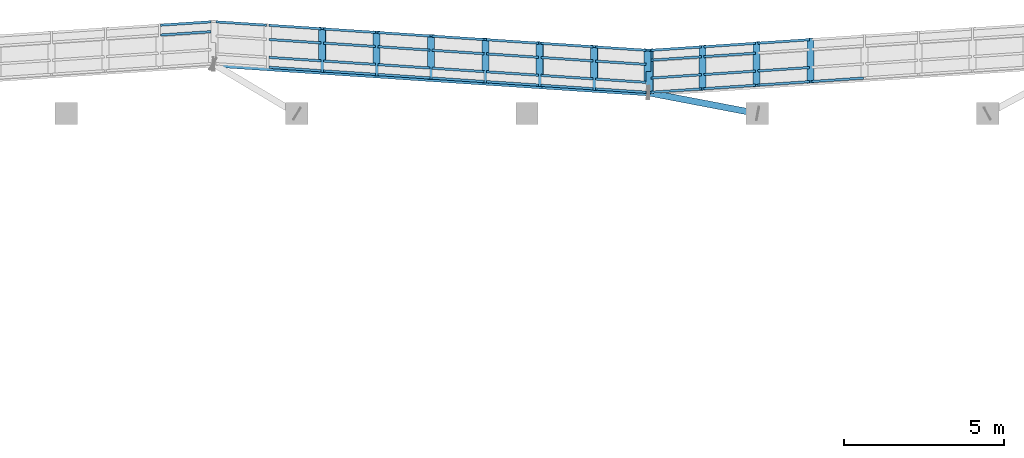
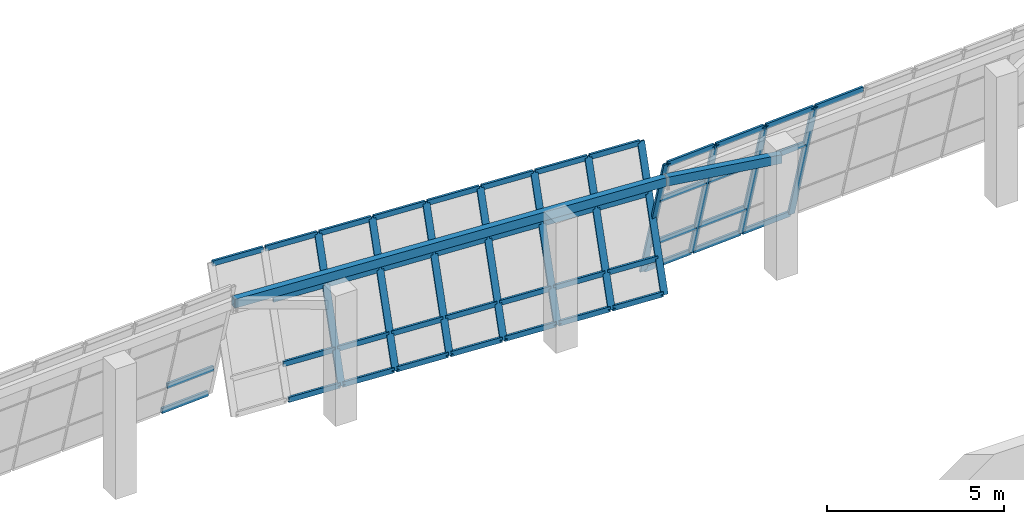
# One storey, part 31 of 67: 54 members, 2 beams, 3 elements without a shape of their own.
"""IFC4 building model written with IfcOpenShell, lengths in metres."""

from ifc_helpers import new_model, si_unit, direction, frame, origin, origin_2d, place, context, subcontext, project, spatial, hollow_rectangle, extrude, material, material_profile, profile_set, type_object, element, aggregate, save


model = new_model("IFC4")

# Units and contexts
model_context = context("Model", 3, precision=1e-05, world=origin(), true_north=direction((0.0, 1.0)))
body_context = subcontext(model_context, "Body", "Model", "MODEL_VIEW")
ifc_project = project(units=[si_unit("LENGTHUNIT", "METRE"), si_unit("AREAUNIT", "SQUARE_METRE"), si_unit("VOLUMEUNIT", "CUBIC_METRE"), si_unit("PLANEANGLEUNIT", "RADIAN"), si_unit("MASSUNIT", "GRAM", prefix="KILO")], contexts=[model_context])

# Site, building, storey
site_placement = place(None, origin())
site = spatial("IfcSite", under=ifc_project, at=site_placement, CompositionType="ELEMENT")
building_placement = place(site_placement, origin())
building = spatial("IfcBuilding", under=site, at=building_placement, Name="Pellamere Symphony Hall", CompositionType="ELEMENT")
storey_placement = place(building_placement, frame((0.0, 0.0, 19.5)))
storey = spatial("IfcBuildingStorey", under=building, at=storey_placement, Name="L04", CompositionType="ELEMENT", Elevation=19.5)

# Curtain wall, members
ifc_material_1 = material(Name="Thermally Broken Anodised Aluminium 6063-T6 Curtain Wall", Category="aluminium")
curtain_wall_type = type_object("IfcCurtainWallType", Name="Curtain Wall CW-01 (Tilted Faceted Crystal Low-Iron Curtain Wall)", PredefinedType="NOTDEFINED", material=ifc_material_1)
curtain_wall_1_placement = place(storey_placement, origin())
curtain_wall_1 = element("IfcCurtainWall", 1, at=curtain_wall_1_placement, inside=storey, type_object=curtain_wall_type, Name="Crystal Faceted Curtain Wall CW-CR11 (L04)", PredefinedType="NOTDEFINED")
ifc_material_2 = material(Name="Anodised Architectural Aluminium 6063-T6", Category="aluminium")
ifc_material_profile_1 = material_profile(ifc_material_2, hollow_rectangle(XDim=0.074951171875, YDim=0.219970703125, WallThickness=0.0048828125, at=origin_2d()), Name="ALU-M75X220X5")
ifc_profile_set_1 = profile_set([ifc_material_profile_1], Name="Anodised Architectural Aluminium 6063-T6")
member_type_1 = type_object("IfcMemberType", Name="Curtain Wall Mullion ML-01 ALU-M75X220X5", PredefinedType="MULLION", material=ifc_profile_set_1)
member_1_placement = place(storey_placement, frame((96.46240234375, 95.92041015625, 0.0), z_axis=(0.0, -0.284024567884, 0.95881700279), x_axis=(0.066519010519, -0.956693374484, -0.283395498301)))
member_1 = element("IfcMember", 2, at=member_1_placement, type_object=member_type_1, Name="CW1-027 crystal mullion 6", PredefinedType="MULLION", context=body_context, shape_type="SweptSolid", body=[
    extrude(hollow_rectangle(XDim=0.074951171875, YDim=0.219970703125, WallThickness=0.0048828125, at=origin_2d()), origin(), (0.0, 0.0, 1.0), 4.693359375),
])
member_2_placement = place(storey_placement, frame((94.77490234375, 95.80810546875, 0.0), z_axis=(0.0, -0.284024567884, 0.95881700279), x_axis=(0.066519010519, -0.956693374484, -0.283395498301)))
member_2 = element("IfcMember", 3, at=member_2_placement, type_object=member_type_1, Name="CW1-027 crystal mullion 7", PredefinedType="MULLION", context=body_context, shape_type="SweptSolid", body=[
    extrude(hollow_rectangle(XDim=0.074951171875, YDim=0.219970703125, WallThickness=0.0048828125, at=origin_2d()), origin(), (0.0, 0.0, 1.0), 4.693359375),
])
member_3_placement = place(storey_placement, frame((93.08740234375, 95.695556640625, 0.0), z_axis=(0.0, -0.284024567884, 0.95881700279), x_axis=(0.066519010519, -0.956693374484, -0.283395498301)))
member_3 = element("IfcMember", 4, at=member_3_placement, type_object=member_type_1, Name="CW1-027 crystal mullion 8", PredefinedType="MULLION", context=body_context, shape_type="SweptSolid", body=[
    extrude(hollow_rectangle(XDim=0.074951171875, YDim=0.219970703125, WallThickness=0.0048828125, at=origin_2d()), origin(), (0.0, 0.0, 1.0), 4.693359375),
])
member_4_placement = place(storey_placement, frame((91.4375, 95.58544921875, 0.0), z_axis=(0.0, -0.284024567884, 0.95881700279), x_axis=(0.066519010519, -0.956693374484, -0.283395498301)))
member_4 = element("IfcMember", 5, at=member_4_placement, type_object=member_type_1, Name="CW1-027 crystal mullion 9", PredefinedType="MULLION", context=body_context, shape_type="SweptSolid", body=[
    extrude(hollow_rectangle(XDim=0.074951171875, YDim=0.219970703125, WallThickness=0.0048828125, at=origin_2d()), origin(), (0.0, 0.0, 1.0), 4.693359375),
])

curtain_wall_2_placement = place(storey_placement, origin())
curtain_wall_2 = element("IfcCurtainWall", 6, at=curtain_wall_2_placement, inside=storey, type_object=curtain_wall_type, Name="Crystal Faceted Curtain Wall CW-CR12 (L04)", PredefinedType="NOTDEFINED")
member_5_placement = place(storey_placement, frame((91.362548828125, 94.25244140625, 0.0), z_axis=(0.0, 0.284024567884, 0.95881700279), x_axis=(0.066032040643, 0.956724387709, -0.283404685161)))
member_5 = element("IfcMember", 7, at=member_5_placement, type_object=member_type_1, Name="CW1-030 crystal mullion 1", PredefinedType="MULLION", context=body_context, shape_type="SweptSolid", body=[
    extrude(hollow_rectangle(XDim=0.074951171875, YDim=0.219970703125, WallThickness=0.0048828125, at=origin_2d()), origin(), (0.0, 0.0, 1.0), 4.693359375),
])
member_6_placement = place(storey_placement, frame((89.699951171875, 94.362548828125, 0.0), z_axis=(0.0, 0.284024567884, 0.95881700279), x_axis=(0.066032040643, 0.956724387709, -0.283404685161)))
member_6 = element("IfcMember", 8, at=member_6_placement, type_object=member_type_1, Name="CW1-030 crystal mullion 2", PredefinedType="MULLION", context=body_context, shape_type="SweptSolid", body=[
    extrude(hollow_rectangle(XDim=0.074951171875, YDim=0.219970703125, WallThickness=0.0048828125, at=origin_2d()), origin(), (0.0, 0.0, 1.0), 4.693359375),
])
member_7_placement = place(storey_placement, frame((88.0, 94.47509765625, 0.0), z_axis=(0.0, 0.284024567884, 0.95881700279), x_axis=(0.066032040643, 0.956724387709, -0.283404685161)))
member_7 = element("IfcMember", 9, at=member_7_placement, type_object=member_type_1, Name="CW1-030 crystal mullion 3", PredefinedType="MULLION", context=body_context, shape_type="SweptSolid", body=[
    extrude(hollow_rectangle(XDim=0.074951171875, YDim=0.219970703125, WallThickness=0.0048828125, at=origin_2d()), origin(), (0.0, 0.0, 1.0), 4.693359375),
])
member_8_placement = place(storey_placement, frame((86.300048828125, 94.58740234375, 0.0), z_axis=(0.0, 0.284024567884, 0.95881700279), x_axis=(0.066032040643, 0.956724387709, -0.283404685161)))
member_8 = element("IfcMember", 10, at=member_8_placement, type_object=member_type_1, Name="CW1-030 crystal mullion 4", PredefinedType="MULLION", context=body_context, shape_type="SweptSolid", body=[
    extrude(hollow_rectangle(XDim=0.074951171875, YDim=0.219970703125, WallThickness=0.0048828125, at=origin_2d()), origin(), (0.0, 0.0, 1.0), 4.693359375),
])
member_9_placement = place(storey_placement, frame((84.60009765625, 94.699951171875, 0.0), z_axis=(0.0, 0.284024567884, 0.95881700279), x_axis=(0.066032040643, 0.956724387709, -0.283404685161)))
member_9 = element("IfcMember", 11, at=member_9_placement, type_object=member_type_1, Name="CW1-030 crystal mullion 5", PredefinedType="MULLION", context=body_context, shape_type="SweptSolid", body=[
    extrude(hollow_rectangle(XDim=0.074951171875, YDim=0.219970703125, WallThickness=0.0048828125, at=origin_2d()), origin(), (0.0, 0.0, 1.0), 4.693359375),
])
member_10_placement = place(storey_placement, frame((82.89990234375, 94.8125, 0.0), z_axis=(0.0, 0.284024567884, 0.95881700279), x_axis=(0.066032040643, 0.956724387709, -0.283404685161)))
member_10 = element("IfcMember", 12, at=member_10_placement, type_object=member_type_1, Name="CW1-030 crystal mullion 6", PredefinedType="MULLION", context=body_context, shape_type="SweptSolid", body=[
    extrude(hollow_rectangle(XDim=0.074951171875, YDim=0.219970703125, WallThickness=0.0048828125, at=origin_2d()), origin(), (0.0, 0.0, 1.0), 4.693359375),
])
member_11_placement = place(storey_placement, frame((81.199951171875, 94.925048828125, 0.0), z_axis=(0.0, 0.284024567884, 0.95881700279), x_axis=(0.066032040643, 0.956724387709, -0.283404685161)))
member_11 = element("IfcMember", 13, at=member_11_placement, type_object=member_type_1, Name="CW1-030 crystal mullion 7", PredefinedType="MULLION", context=body_context, shape_type="SweptSolid", body=[
    extrude(hollow_rectangle(XDim=0.074951171875, YDim=0.219970703125, WallThickness=0.0048828125, at=origin_2d()), origin(), (0.0, 0.0, 1.0), 4.693359375),
])

# Member
ifc_material_profile_2 = material_profile(ifc_material_2, hollow_rectangle(XDim=0.074951171875, YDim=0.179931640625, WallThickness=0.0048828125, at=origin_2d()), Name="ALU-T75X180X5")
ifc_profile_set_2 = profile_set([ifc_material_profile_2], Name="Anodised Architectural Aluminium 6063-T6")
member_type_2 = type_object("IfcMemberType", Name="Curtain Wall Transom TR-01 ALU-T75X180X5", PredefinedType="USERDEFINED", material=ifc_profile_set_2)
member_12_placement = place(storey_placement, frame((98.112548828125, 94.708251953125, 4.464111328125), z_axis=(-0.997778468566, -0.06661927398, 0.0), x_axis=(0.06661927398, -0.997778468566, 0.0)))
member_12 = element("IfcMember", 14, at=member_12_placement, type_object=member_type_2, Name="CW1-027 crystal transom 5.4", ObjectType="TRANSOM", PredefinedType="USERDEFINED", context=body_context, shape_type="SweptSolid", body=[
    extrude(hollow_rectangle(XDim=0.074951171875, YDim=0.179931640625, WallThickness=0.0048828125, at=origin_2d()), origin(), (0.0, 0.0, 1.0), 1.6162109375),
])

member_13_placement = place(storey_placement, frame((96.425048828125, 95.907470703125, 0.035888671875), z_axis=(-0.997778468566, -0.06661927398, 0.0), x_axis=(0.06661927398, -0.997778468566, 0.0)))
member_13 = element("IfcMember", 15, at=member_13_placement, type_object=member_type_2, Name="CW1-027 crystal transom 6.1", ObjectType="TRANSOM", PredefinedType="USERDEFINED", context=body_context, shape_type="SweptSolid", body=[
    extrude(hollow_rectangle(XDim=0.074951171875, YDim=0.179931640625, WallThickness=0.0048828125, at=origin_2d()), origin(), (0.0, 0.0, 1.0), 1.6162109375),
])

member_14_placement = place(storey_placement, frame((96.425048828125, 95.038330078125, 2.969970703125), z_axis=(-0.997778468566, -0.06661927398, 0.0), x_axis=(0.06661927398, -0.997778468566, 0.0)))
member_14 = element("IfcMember", 16, at=member_14_placement, type_object=member_type_2, Name="CW1-027 crystal transom 6.3", ObjectType="TRANSOM", PredefinedType="USERDEFINED", context=body_context, shape_type="SweptSolid", body=[
    extrude(hollow_rectangle(XDim=0.074951171875, YDim=0.179931640625, WallThickness=0.0048828125, at=origin_2d()), origin(), (0.0, 0.0, 1.0), 1.6162109375),
])

member_15_placement = place(storey_placement, frame((96.425048828125, 94.595703125, 4.464111328125), z_axis=(-0.997778468566, -0.06661927398, 0.0), x_axis=(0.06661927398, -0.997778468566, 0.0)))
member_15 = element("IfcMember", 17, at=member_15_placement, type_object=member_type_2, Name="CW1-027 crystal transom 6.4", ObjectType="TRANSOM", PredefinedType="USERDEFINED", context=body_context, shape_type="SweptSolid", body=[
    extrude(hollow_rectangle(XDim=0.074951171875, YDim=0.179931640625, WallThickness=0.0048828125, at=origin_2d()), origin(), (0.0, 0.0, 1.0), 1.6162109375),
])

member_16_placement = place(storey_placement, frame((94.737548828125, 95.794921875, 0.035888671875), z_axis=(-0.997778468566, -0.06661927398, 0.0), x_axis=(0.06661927398, -0.997778468566, 0.0)))
member_16 = element("IfcMember", 18, at=member_16_placement, type_object=member_type_2, Name="CW1-027 crystal transom 7.1", ObjectType="TRANSOM", PredefinedType="USERDEFINED", context=body_context, shape_type="SweptSolid", body=[
    extrude(hollow_rectangle(XDim=0.074951171875, YDim=0.179931640625, WallThickness=0.0048828125, at=origin_2d()), origin(), (0.0, 0.0, 1.0), 1.6162109375),
])

member_17_placement = place(storey_placement, frame((94.737548828125, 95.485595703125, 1.080078125), z_axis=(-0.997788498757, -0.06646887804, 0.0), x_axis=(0.06646887804, -0.997788498757, 0.0)))
member_17 = element("IfcMember", 19, at=member_17_placement, type_object=member_type_2, Name="CW1-027 crystal transom 7.2", ObjectType="TRANSOM", PredefinedType="USERDEFINED", context=body_context, shape_type="SweptSolid", body=[
    extrude(hollow_rectangle(XDim=0.074951171875, YDim=0.179931640625, WallThickness=0.0048828125, at=origin_2d()), origin(), (0.0, 0.0, 1.0), 1.6162109375),
])

member_18_placement = place(storey_placement, frame((94.737548828125, 94.92578125, 2.969970703125), z_axis=(-0.997778468566, -0.06661927398, 0.0), x_axis=(0.06661927398, -0.997778468566, 0.0)))
member_18 = element("IfcMember", 20, at=member_18_placement, type_object=member_type_2, Name="CW1-027 crystal transom 7.3", ObjectType="TRANSOM", PredefinedType="USERDEFINED", context=body_context, shape_type="SweptSolid", body=[
    extrude(hollow_rectangle(XDim=0.074951171875, YDim=0.179931640625, WallThickness=0.0048828125, at=origin_2d()), origin(), (0.0, 0.0, 1.0), 1.6162109375),
])

member_19_placement = place(storey_placement, frame((94.737548828125, 94.483154296875, 4.464111328125), z_axis=(-0.997788498757, -0.06646887804, 0.0), x_axis=(0.06646887804, -0.997788498757, 0.0)))
member_19 = element("IfcMember", 21, at=member_19_placement, type_object=member_type_2, Name="CW1-027 crystal transom 7.4", ObjectType="TRANSOM", PredefinedType="USERDEFINED", context=body_context, shape_type="SweptSolid", body=[
    extrude(hollow_rectangle(XDim=0.074951171875, YDim=0.179931640625, WallThickness=0.0048828125, at=origin_2d()), origin(), (0.0, 0.0, 1.0), 1.6162109375),
])

member_20_placement = place(storey_placement, frame((93.050048828125, 95.682373046875, 0.035888671875), z_axis=(-0.997786526209, -0.066498482063, 0.0), x_axis=(0.066498482063, -0.997786526209, 0.0)))
member_20 = element("IfcMember", 22, at=member_20_placement, type_object=member_type_2, Name="CW1-027 crystal transom 8.1", ObjectType="TRANSOM", PredefinedType="USERDEFINED", context=body_context, shape_type="SweptSolid", body=[
    extrude(hollow_rectangle(XDim=0.074951171875, YDim=0.179931640625, WallThickness=0.0048828125, at=origin_2d()), origin(), (0.0, 0.0, 1.0), 1.57861328125),
])

member_21_placement = place(storey_placement, frame((93.050048828125, 95.373046875, 1.080078125), z_axis=(-0.997786526209, -0.066498482063, 0.0), x_axis=(0.066498482063, -0.997786526209, 0.0)))
member_21 = element("IfcMember", 23, at=member_21_placement, type_object=member_type_2, Name="CW1-027 crystal transom 8.2", ObjectType="TRANSOM", PredefinedType="USERDEFINED", context=body_context, shape_type="SweptSolid", body=[
    extrude(hollow_rectangle(XDim=0.074951171875, YDim=0.179931640625, WallThickness=0.0048828125, at=origin_2d()), origin(), (0.0, 0.0, 1.0), 1.57861328125),
])

member_22_placement = place(storey_placement, frame((93.050048828125, 94.813232421875, 2.969970703125), z_axis=(-0.997786526209, -0.066498482063, 0.0), x_axis=(0.066498482063, -0.997786526209, 0.0)))
member_22 = element("IfcMember", 24, at=member_22_placement, type_object=member_type_2, Name="CW1-027 crystal transom 8.3", ObjectType="TRANSOM", PredefinedType="USERDEFINED", context=body_context, shape_type="SweptSolid", body=[
    extrude(hollow_rectangle(XDim=0.074951171875, YDim=0.179931640625, WallThickness=0.0048828125, at=origin_2d()), origin(), (0.0, 0.0, 1.0), 1.57861328125),
])

member_23_placement = place(storey_placement, frame((93.050048828125, 94.37060546875, 4.464111328125), z_axis=(-0.997786526209, -0.066498482063, 0.0), x_axis=(0.066498482063, -0.997786526209, 0.0)))
member_23 = element("IfcMember", 25, at=member_23_placement, type_object=member_type_2, Name="CW1-027 crystal transom 8.4", ObjectType="TRANSOM", PredefinedType="USERDEFINED", context=body_context, shape_type="SweptSolid", body=[
    extrude(hollow_rectangle(XDim=0.074951171875, YDim=0.179931640625, WallThickness=0.0048828125, at=origin_2d()), origin(), (0.0, 0.0, 1.0), 1.57861328125),
])

aggregate(curtain_wall_1, [member_1, member_2, member_3, member_4, member_12, member_13, member_14, member_15, member_16, member_17, member_18, member_19, member_20, member_21, member_22, member_23])

member_24_placement = place(storey_placement, frame((91.3251953125, 94.265625, 0.035888671875), z_axis=(-0.997821663418, 0.065969144414, 0.0), x_axis=(-0.065969144414, -0.997821663418, 0.0)))
member_24 = element("IfcMember", 26, at=member_24_placement, type_object=member_type_2, Name="CW1-030 crystal transom 1.1", ObjectType="TRANSOM", PredefinedType="USERDEFINED", context=body_context, shape_type="SweptSolid", body=[
    extrude(hollow_rectangle(XDim=0.074951171875, YDim=0.179931640625, WallThickness=0.0048828125, at=origin_2d()), origin(), (0.0, 0.0, 1.0), 1.59130859375),
])

member_25_placement = place(storey_placement, frame((91.3251953125, 94.574951171875, 1.080078125), z_axis=(-0.997821663418, 0.065969144414, 0.0), x_axis=(-0.065969144414, -0.997821663418, 0.0)))
member_25 = element("IfcMember", 27, at=member_25_placement, type_object=member_type_2, Name="CW1-030 crystal transom 1.2", ObjectType="TRANSOM", PredefinedType="USERDEFINED", context=body_context, shape_type="SweptSolid", body=[
    extrude(hollow_rectangle(XDim=0.074951171875, YDim=0.179931640625, WallThickness=0.0048828125, at=origin_2d()), origin(), (0.0, 0.0, 1.0), 1.59130859375),
])

member_26_placement = place(storey_placement, frame((91.3251953125, 95.134765625, 2.969970703125), z_axis=(-0.997821663418, 0.065969144414, 0.0), x_axis=(-0.065969144414, -0.997821663418, 0.0)))
member_26 = element("IfcMember", 28, at=member_26_placement, type_object=member_type_2, Name="CW1-030 crystal transom 1.3", ObjectType="TRANSOM", PredefinedType="USERDEFINED", context=body_context, shape_type="SweptSolid", body=[
    extrude(hollow_rectangle(XDim=0.074951171875, YDim=0.179931640625, WallThickness=0.0048828125, at=origin_2d()), origin(), (0.0, 0.0, 1.0), 1.59130859375),
])

member_27_placement = place(storey_placement, frame((91.3251953125, 95.577392578125, 4.464111328125), z_axis=(-0.997821663418, 0.065969144414, 0.0), x_axis=(-0.065969144414, -0.997821663418, 0.0)))
member_27 = element("IfcMember", 29, at=member_27_placement, type_object=member_type_2, Name="CW1-030 crystal transom 1.4", ObjectType="TRANSOM", PredefinedType="USERDEFINED", context=body_context, shape_type="SweptSolid", body=[
    extrude(hollow_rectangle(XDim=0.074951171875, YDim=0.179931640625, WallThickness=0.0048828125, at=origin_2d()), origin(), (0.0, 0.0, 1.0), 1.59130859375),
])

member_28_placement = place(storey_placement, frame((89.66259765625, 94.375732421875, 0.035888671875), z_axis=(-0.997822801026, 0.065951935174, 0.0), x_axis=(-0.065951935174, -0.997822801026, 0.0)))
member_28 = element("IfcMember", 30, at=member_28_placement, type_object=member_type_2, Name="CW1-030 crystal transom 2.1", ObjectType="TRANSOM", PredefinedType="USERDEFINED", context=body_context, shape_type="SweptSolid", body=[
    extrude(hollow_rectangle(XDim=0.074951171875, YDim=0.179931640625, WallThickness=0.0048828125, at=origin_2d()), origin(), (0.0, 0.0, 1.0), 1.62890625),
])

member_29_placement = place(storey_placement, frame((89.66259765625, 94.684814453125, 1.080078125), z_axis=(-0.9978129259, 0.066101171747, 0.0), x_axis=(-0.066101171747, -0.9978129259, 0.0)))
member_29 = element("IfcMember", 31, at=member_29_placement, type_object=member_type_2, Name="CW1-030 crystal transom 2.2", ObjectType="TRANSOM", PredefinedType="USERDEFINED", context=body_context, shape_type="SweptSolid", body=[
    extrude(hollow_rectangle(XDim=0.074951171875, YDim=0.179931640625, WallThickness=0.0048828125, at=origin_2d()), origin(), (0.0, 0.0, 1.0), 1.62890625),
])

member_30_placement = place(storey_placement, frame((89.66259765625, 95.244873046875, 2.969970703125), z_axis=(-0.997822801026, 0.065951935174, 0.0), x_axis=(-0.065951935174, -0.997822801026, 0.0)))
member_30 = element("IfcMember", 32, at=member_30_placement, type_object=member_type_2, Name="CW1-030 crystal transom 2.3", ObjectType="TRANSOM", PredefinedType="USERDEFINED", context=body_context, shape_type="SweptSolid", body=[
    extrude(hollow_rectangle(XDim=0.074951171875, YDim=0.179931640625, WallThickness=0.0048828125, at=origin_2d()), origin(), (0.0, 0.0, 1.0), 1.62890625),
])

member_31_placement = place(storey_placement, frame((89.66259765625, 95.687255859375, 4.464111328125), z_axis=(-0.9978129259, 0.066101171747, 0.0), x_axis=(-0.066101171747, -0.9978129259, 0.0)))
member_31 = element("IfcMember", 33, at=member_31_placement, type_object=member_type_2, Name="CW1-030 crystal transom 2.4", ObjectType="TRANSOM", PredefinedType="USERDEFINED", context=body_context, shape_type="SweptSolid", body=[
    extrude(hollow_rectangle(XDim=0.074951171875, YDim=0.179931640625, WallThickness=0.0048828125, at=origin_2d()), origin(), (0.0, 0.0, 1.0), 1.62890625),
])

member_32_placement = place(storey_placement, frame((87.962646484375, 94.488037109375, 0.035888671875), z_axis=(-0.9978129259, 0.066101171747, 0.0), x_axis=(-0.066101171747, -0.9978129259, 0.0)))
member_32 = element("IfcMember", 34, at=member_32_placement, type_object=member_type_2, Name="CW1-030 crystal transom 3.1", ObjectType="TRANSOM", PredefinedType="USERDEFINED", context=body_context, shape_type="SweptSolid", body=[
    extrude(hollow_rectangle(XDim=0.074951171875, YDim=0.179931640625, WallThickness=0.0048828125, at=origin_2d()), origin(), (0.0, 0.0, 1.0), 1.62890625),
])

member_33_placement = place(storey_placement, frame((87.962646484375, 94.79736328125, 1.080078125), z_axis=(-0.9978129259, 0.066101171747, 0.0), x_axis=(-0.066101171747, -0.9978129259, 0.0)))
member_33 = element("IfcMember", 35, at=member_33_placement, type_object=member_type_2, Name="CW1-030 crystal transom 3.2", ObjectType="TRANSOM", PredefinedType="USERDEFINED", context=body_context, shape_type="SweptSolid", body=[
    extrude(hollow_rectangle(XDim=0.074951171875, YDim=0.179931640625, WallThickness=0.0048828125, at=origin_2d()), origin(), (0.0, 0.0, 1.0), 1.62890625),
])

member_34_placement = place(storey_placement, frame((87.962646484375, 95.357177734375, 2.969970703125), z_axis=(-0.9978129259, 0.066101171747, 0.0), x_axis=(-0.066101171747, -0.9978129259, 0.0)))
member_34 = element("IfcMember", 36, at=member_34_placement, type_object=member_type_2, Name="CW1-030 crystal transom 3.3", ObjectType="TRANSOM", PredefinedType="USERDEFINED", context=body_context, shape_type="SweptSolid", body=[
    extrude(hollow_rectangle(XDim=0.074951171875, YDim=0.179931640625, WallThickness=0.0048828125, at=origin_2d()), origin(), (0.0, 0.0, 1.0), 1.62890625),
])

member_35_placement = place(storey_placement, frame((87.962646484375, 95.7998046875, 4.464111328125), z_axis=(-0.9978129259, 0.066101171747, 0.0), x_axis=(-0.066101171747, -0.9978129259, 0.0)))
member_35 = element("IfcMember", 37, at=member_35_placement, type_object=member_type_2, Name="CW1-030 crystal transom 3.4", ObjectType="TRANSOM", PredefinedType="USERDEFINED", context=body_context, shape_type="SweptSolid", body=[
    extrude(hollow_rectangle(XDim=0.074951171875, YDim=0.179931640625, WallThickness=0.0048828125, at=origin_2d()), origin(), (0.0, 0.0, 1.0), 1.62890625),
])

member_36_placement = place(storey_placement, frame((86.2626953125, 94.6005859375, 0.035888671875), z_axis=(-0.9978129259, 0.066101171747, 0.0), x_axis=(-0.066101171747, -0.9978129259, 0.0)))
member_36 = element("IfcMember", 38, at=member_36_placement, type_object=member_type_2, Name="CW1-030 crystal transom 4.1", ObjectType="TRANSOM", PredefinedType="USERDEFINED", context=body_context, shape_type="SweptSolid", body=[
    extrude(hollow_rectangle(XDim=0.074951171875, YDim=0.179931640625, WallThickness=0.0048828125, at=origin_2d()), origin(), (0.0, 0.0, 1.0), 1.62890625),
])

member_37_placement = place(storey_placement, frame((86.2626953125, 94.909912109375, 1.080078125), z_axis=(-0.997822801026, 0.065951935174, 0.0), x_axis=(-0.065951935174, -0.997822801026, 0.0)))
member_37 = element("IfcMember", 39, at=member_37_placement, type_object=member_type_2, Name="CW1-030 crystal transom 4.2", ObjectType="TRANSOM", PredefinedType="USERDEFINED", context=body_context, shape_type="SweptSolid", body=[
    extrude(hollow_rectangle(XDim=0.074951171875, YDim=0.179931640625, WallThickness=0.0048828125, at=origin_2d()), origin(), (0.0, 0.0, 1.0), 1.62890625),
])

member_38_placement = place(storey_placement, frame((86.2626953125, 95.4697265625, 2.969970703125), z_axis=(-0.9978129259, 0.066101171747, 0.0), x_axis=(-0.066101171747, -0.9978129259, 0.0)))
member_38 = element("IfcMember", 40, at=member_38_placement, type_object=member_type_2, Name="CW1-030 crystal transom 4.3", ObjectType="TRANSOM", PredefinedType="USERDEFINED", context=body_context, shape_type="SweptSolid", body=[
    extrude(hollow_rectangle(XDim=0.074951171875, YDim=0.179931640625, WallThickness=0.0048828125, at=origin_2d()), origin(), (0.0, 0.0, 1.0), 1.62890625),
])

member_39_placement = place(storey_placement, frame((86.2626953125, 95.912353515625, 4.464111328125), z_axis=(-0.997822801026, 0.065951935174, 0.0), x_axis=(-0.065951935174, -0.997822801026, 0.0)))
member_39 = element("IfcMember", 41, at=member_39_placement, type_object=member_type_2, Name="CW1-030 crystal transom 4.4", ObjectType="TRANSOM", PredefinedType="USERDEFINED", context=body_context, shape_type="SweptSolid", body=[
    extrude(hollow_rectangle(XDim=0.074951171875, YDim=0.179931640625, WallThickness=0.0048828125, at=origin_2d()), origin(), (0.0, 0.0, 1.0), 1.62890625),
])

member_40_placement = place(storey_placement, frame((84.5625, 94.713134765625, 0.035888671875), z_axis=(-0.997822148906, 0.065961800709, 0.0), x_axis=(-0.065961800709, -0.997822148906, 0.0)))
member_40 = element("IfcMember", 42, at=member_40_placement, type_object=member_type_2, Name="CW1-030 crystal transom 5.1", ObjectType="TRANSOM", PredefinedType="USERDEFINED", context=body_context, shape_type="SweptSolid", body=[
    extrude(hollow_rectangle(XDim=0.074951171875, YDim=0.179931640625, WallThickness=0.0048828125, at=origin_2d()), origin(), (0.0, 0.0, 1.0), 1.628662109375),
])

member_41_placement = place(storey_placement, frame((84.5625, 95.0224609375, 1.080078125), z_axis=(-0.997822148906, 0.065961800709, 0.0), x_axis=(-0.065961800709, -0.997822148906, 0.0)))
member_41 = element("IfcMember", 43, at=member_41_placement, type_object=member_type_2, Name="CW1-030 crystal transom 5.2", ObjectType="TRANSOM", PredefinedType="USERDEFINED", context=body_context, shape_type="SweptSolid", body=[
    extrude(hollow_rectangle(XDim=0.074951171875, YDim=0.179931640625, WallThickness=0.0048828125, at=origin_2d()), origin(), (0.0, 0.0, 1.0), 1.628662109375),
])

member_42_placement = place(storey_placement, frame((84.5625, 95.582275390625, 2.969970703125), z_axis=(-0.997822148906, 0.065961800709, 0.0), x_axis=(-0.065961800709, -0.997822148906, 0.0)))
member_42 = element("IfcMember", 44, at=member_42_placement, type_object=member_type_2, Name="CW1-030 crystal transom 5.3", ObjectType="TRANSOM", PredefinedType="USERDEFINED", context=body_context, shape_type="SweptSolid", body=[
    extrude(hollow_rectangle(XDim=0.074951171875, YDim=0.179931640625, WallThickness=0.0048828125, at=origin_2d()), origin(), (0.0, 0.0, 1.0), 1.628662109375),
])

member_43_placement = place(storey_placement, frame((84.5625, 96.02490234375, 4.464111328125), z_axis=(-0.997822148906, 0.065961800709, 0.0), x_axis=(-0.065961800709, -0.997822148906, 0.0)))
member_43 = element("IfcMember", 45, at=member_43_placement, type_object=member_type_2, Name="CW1-030 crystal transom 5.4", ObjectType="TRANSOM", PredefinedType="USERDEFINED", context=body_context, shape_type="SweptSolid", body=[
    extrude(hollow_rectangle(XDim=0.074951171875, YDim=0.179931640625, WallThickness=0.0048828125, at=origin_2d()), origin(), (0.0, 0.0, 1.0), 1.628662109375),
])

member_44_placement = place(storey_placement, frame((82.862548828125, 94.82568359375, 0.035888671875), z_axis=(-0.997822801026, 0.065951935174, 0.0), x_axis=(-0.065951935174, -0.997822801026, 0.0)))
member_44 = element("IfcMember", 46, at=member_44_placement, type_object=member_type_2, Name="CW1-030 crystal transom 6.1", ObjectType="TRANSOM", PredefinedType="USERDEFINED", context=body_context, shape_type="SweptSolid", body=[
    extrude(hollow_rectangle(XDim=0.074951171875, YDim=0.179931640625, WallThickness=0.0048828125, at=origin_2d()), origin(), (0.0, 0.0, 1.0), 1.62890625),
])

member_45_placement = place(storey_placement, frame((82.862548828125, 95.135009765625, 1.080078125), z_axis=(-0.997822801026, 0.065951935174, 0.0), x_axis=(-0.065951935174, -0.997822801026, 0.0)))
member_45 = element("IfcMember", 47, at=member_45_placement, type_object=member_type_2, Name="CW1-030 crystal transom 6.2", ObjectType="TRANSOM", PredefinedType="USERDEFINED", context=body_context, shape_type="SweptSolid", body=[
    extrude(hollow_rectangle(XDim=0.074951171875, YDim=0.179931640625, WallThickness=0.0048828125, at=origin_2d()), origin(), (0.0, 0.0, 1.0), 1.62890625),
])

member_46_placement = place(storey_placement, frame((82.862548828125, 95.69482421875, 2.969970703125), z_axis=(-0.997822801026, 0.065951935174, 0.0), x_axis=(-0.065951935174, -0.997822801026, 0.0)))
member_46 = element("IfcMember", 48, at=member_46_placement, type_object=member_type_2, Name="CW1-030 crystal transom 6.3", ObjectType="TRANSOM", PredefinedType="USERDEFINED", context=body_context, shape_type="SweptSolid", body=[
    extrude(hollow_rectangle(XDim=0.074951171875, YDim=0.179931640625, WallThickness=0.0048828125, at=origin_2d()), origin(), (0.0, 0.0, 1.0), 1.62890625),
])

member_47_placement = place(storey_placement, frame((82.862548828125, 96.13720703125, 4.464111328125), z_axis=(-0.9978129259, 0.066101171747, 0.0), x_axis=(-0.066101171747, -0.9978129259, 0.0)))
member_47 = element("IfcMember", 49, at=member_47_placement, type_object=member_type_2, Name="CW1-030 crystal transom 6.4", ObjectType="TRANSOM", PredefinedType="USERDEFINED", context=body_context, shape_type="SweptSolid", body=[
    extrude(hollow_rectangle(XDim=0.074951171875, YDim=0.179931640625, WallThickness=0.0048828125, at=origin_2d()), origin(), (0.0, 0.0, 1.0), 1.62890625),
])

member_48_placement = place(storey_placement, frame((81.16259765625, 94.938232421875, 0.035888671875), z_axis=(-0.997822801026, 0.065951935174, 0.0), x_axis=(-0.065951935174, -0.997822801026, 0.0)))
member_48 = element("IfcMember", 50, at=member_48_placement, type_object=member_type_2, Name="CW1-030 crystal transom 7.1", ObjectType="TRANSOM", PredefinedType="USERDEFINED", context=body_context, shape_type="SweptSolid", body=[
    extrude(hollow_rectangle(XDim=0.074951171875, YDim=0.179931640625, WallThickness=0.0048828125, at=origin_2d()), origin(), (0.0, 0.0, 1.0), 1.62890625),
])

member_49_placement = place(storey_placement, frame((81.16259765625, 95.247314453125, 1.080078125), z_axis=(-0.9978129259, 0.066101171747, 0.0), x_axis=(-0.066101171747, -0.9978129259, 0.0)))
member_49 = element("IfcMember", 51, at=member_49_placement, type_object=member_type_2, Name="CW1-030 crystal transom 7.2", ObjectType="TRANSOM", PredefinedType="USERDEFINED", context=body_context, shape_type="SweptSolid", body=[
    extrude(hollow_rectangle(XDim=0.074951171875, YDim=0.179931640625, WallThickness=0.0048828125, at=origin_2d()), origin(), (0.0, 0.0, 1.0), 1.62890625),
])

member_50_placement = place(storey_placement, frame((81.16259765625, 95.807373046875, 2.969970703125), z_axis=(-0.997822801026, 0.065951935174, 0.0), x_axis=(-0.065951935174, -0.997822801026, 0.0)))
member_50 = element("IfcMember", 52, at=member_50_placement, type_object=member_type_2, Name="CW1-030 crystal transom 7.3", ObjectType="TRANSOM", PredefinedType="USERDEFINED", context=body_context, shape_type="SweptSolid", body=[
    extrude(hollow_rectangle(XDim=0.074951171875, YDim=0.179931640625, WallThickness=0.0048828125, at=origin_2d()), origin(), (0.0, 0.0, 1.0), 1.62890625),
])

member_51_placement = place(storey_placement, frame((81.16259765625, 96.249755859375, 4.464111328125), z_axis=(-0.9978129259, 0.066101171747, 0.0), x_axis=(-0.066101171747, -0.9978129259, 0.0)))
member_51 = element("IfcMember", 53, at=member_51_placement, type_object=member_type_2, Name="CW1-030 crystal transom 7.4", ObjectType="TRANSOM", PredefinedType="USERDEFINED", context=body_context, shape_type="SweptSolid", body=[
    extrude(hollow_rectangle(XDim=0.074951171875, YDim=0.179931640625, WallThickness=0.0048828125, at=origin_2d()), origin(), (0.0, 0.0, 1.0), 1.62890625),
])

member_52_placement = place(storey_placement, frame((79.462646484375, 96.3623046875, 4.464111328125), z_axis=(-0.997821663418, 0.065969144414, 0.0), x_axis=(-0.065969144414, -0.997821663418, 0.0)))
member_52 = element("IfcMember", 54, at=member_52_placement, type_object=member_type_2, Name="CW1-030 crystal transom 8.4", ObjectType="TRANSOM", PredefinedType="USERDEFINED", context=body_context, shape_type="SweptSolid", body=[
    extrude(hollow_rectangle(XDim=0.074951171875, YDim=0.179931640625, WallThickness=0.0048828125, at=origin_2d()), origin(), (0.0, 0.0, 1.0), 1.59130859375),
])

aggregate(curtain_wall_2, [member_5, member_6, member_7, member_8, member_9, member_10, member_11, member_24, member_25, member_26, member_27, member_28, member_29, member_30, member_31, member_32, member_33, member_34, member_35, member_36, member_37, member_38, member_39, member_40, member_41, member_42, member_43, member_44, member_45, member_46, member_47, member_48, member_49, member_50, member_51, member_52])

# Curtain wall, members
curtain_wall_3_placement = place(storey_placement, origin())
curtain_wall_3 = element("IfcCurtainWall", 55, at=curtain_wall_3_placement, inside=storey, type_object=curtain_wall_type, Name="Crystal Faceted Curtain Wall CW-CR13 (L04)", PredefinedType="NOTDEFINED")
member_53_placement = place(storey_placement, frame((77.72509765625, 96.46728515625, 0.035888671875), z_axis=(-0.997786526209, -0.066498482063, 0.0), x_axis=(0.066498482063, -0.997786526209, 0.0)))
member_53 = element("IfcMember", 56, at=member_53_placement, type_object=member_type_2, Name="CW1-033 crystal transom 1.1", ObjectType="TRANSOM", PredefinedType="USERDEFINED", context=body_context, shape_type="SweptSolid", body=[
    extrude(hollow_rectangle(XDim=0.074951171875, YDim=0.179931640625, WallThickness=0.0048828125, at=origin_2d()), origin(), (0.0, 0.0, 1.0), 1.57861328125),
])
member_54_placement = place(storey_placement, frame((77.72509765625, 96.158203125, 1.080078125), z_axis=(-0.997776253366, -0.06665244346, 0.0), x_axis=(0.06665244346, -0.997776253366, 0.0)))
member_54 = element("IfcMember", 57, at=member_54_placement, type_object=member_type_2, Name="CW1-033 crystal transom 1.2", ObjectType="TRANSOM", PredefinedType="USERDEFINED", context=body_context, shape_type="SweptSolid", body=[
    extrude(hollow_rectangle(XDim=0.074951171875, YDim=0.179931640625, WallThickness=0.0048828125, at=origin_2d()), origin(), (0.0, 0.0, 1.0), 1.57861328125),
])
aggregate(curtain_wall_3, [member_53, member_54])

# Beams
ifc_material_3 = material(Name="Steel CSA G40.21 350W", Category="steel")
ifc_material_profile_3 = material_profile(ifc_material_3, hollow_rectangle(XDim=0.203125, YDim=0.3046875, WallThickness=0.0126953125, at=origin_2d()), Name="HSS305X203X13")
ifc_profile_set_3 = profile_set([ifc_material_profile_3], Name="Steel CSA G40.21 350W")
beam_type = type_object("IfcBeamType", Name="Steel Spandrel SB-26 HSS305X203X13", PredefinedType="SPANDREL", material=ifc_profile_set_3)
beam_1_placement = place(storey_placement, frame((94.800048828125, 93.60009765625, 3.93994140625), z_axis=(-0.982218609551, 0.187740786862, 0.0), x_axis=(-0.187740786862, -0.982218609551, 0.0)))
element("IfcBeam", 58, at=beam_1_placement, inside=storey, type_object=beam_type, Name="Crystal Ring Outrigger Bracket 062 (L04)", PredefinedType="SPANDREL", context=body_context, shape_type="SweptSolid", body=[
    extrude(hollow_rectangle(XDim=0.203125, YDim=0.3046875, WallThickness=0.0126953125, at=origin_2d()), origin(), (0.0, 0.0, 1.0), 3.461669921875),
])
beam_2_placement = place(storey_placement, frame((91.39990234375, 94.25, 3.93994140625), z_axis=(-0.997817928363, 0.066025615007, 0.0), x_axis=(-0.066025615007, -0.997817928363, 0.0)))
element("IfcBeam", 59, at=beam_2_placement, inside=storey, type_object=beam_type, Name="Crystal Perimeter Ring Beam CW-CR12 (L04)", PredefinedType="SPANDREL", context=body_context, shape_type="SweptSolid", body=[
    extrude(hollow_rectangle(XDim=0.203125, YDim=0.3046875, WallThickness=0.0126953125, at=origin_2d()), origin(), (0.0, 0.0, 1.0), 13.629638671875),
])

save(model, "model.ifc")
